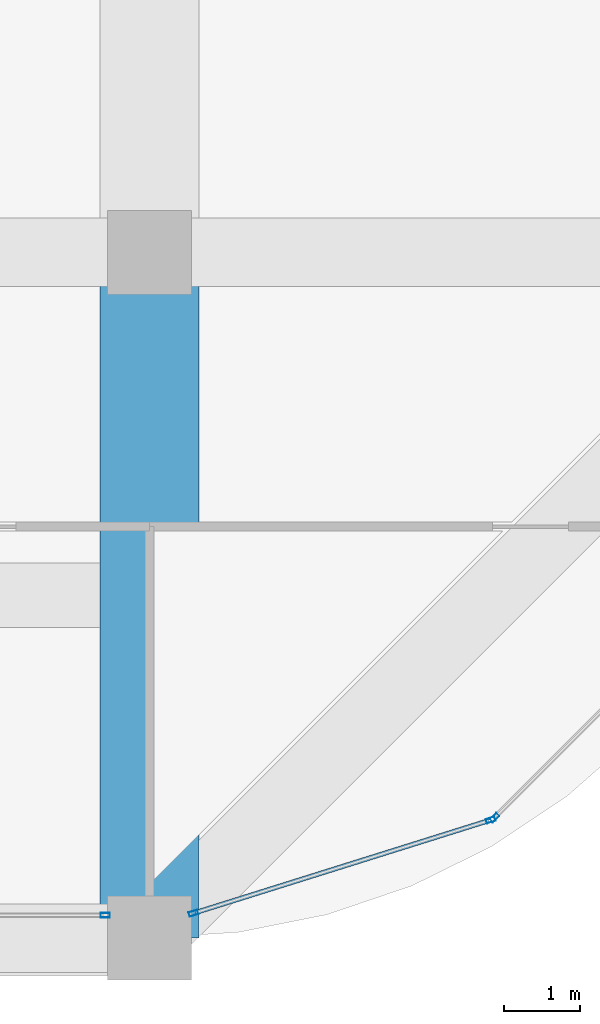
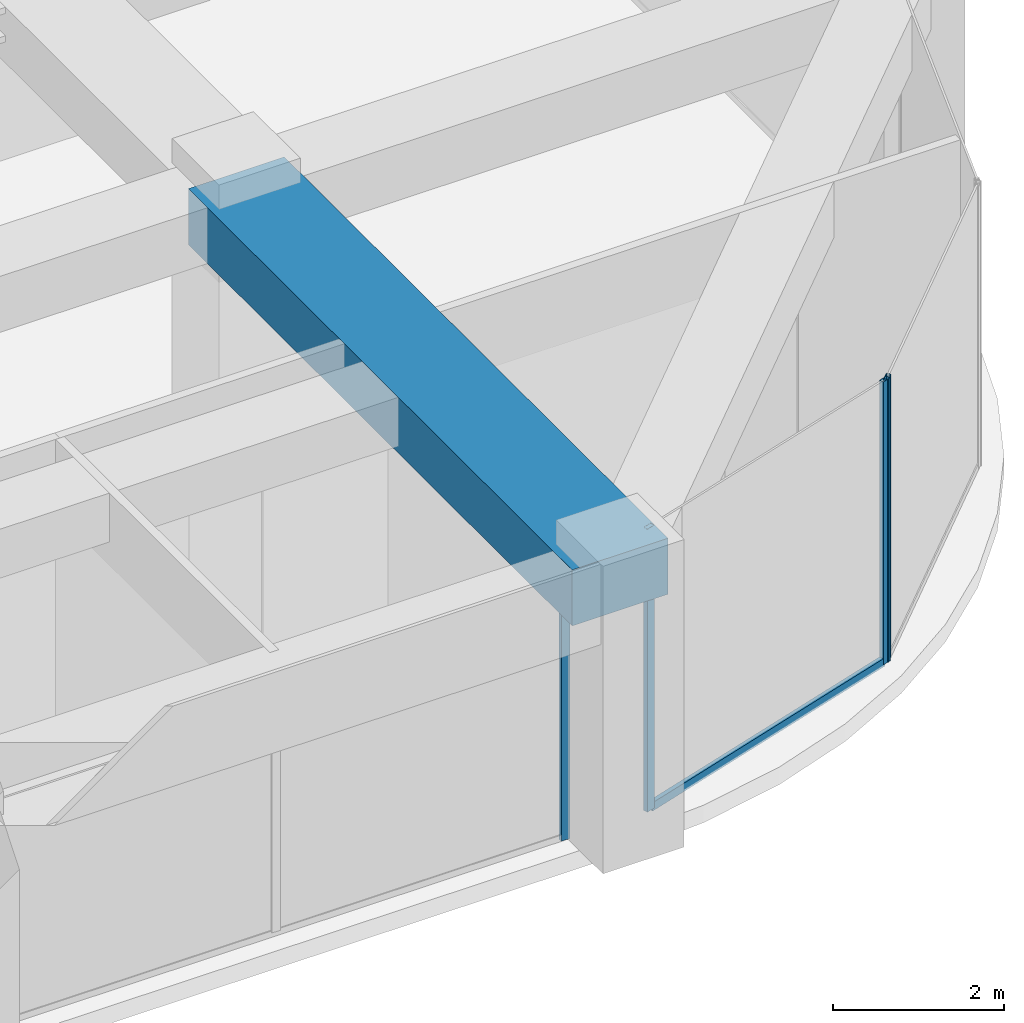
# One storey, part 18 of 44: 5 members, 1 beam, 3 elements without a shape of their own.
"""IFC4 building model written with IfcOpenShell, lengths in metres."""

from ifc_helpers import new_model, si_unit, direction, frame, origin, origin_2d, place, context, subcontext, project, spatial, rectangle, hollow_rectangle, extrude, material, material_profile, profile_set, type_object, element, aggregate, save


model = new_model("IFC4")

# Units and contexts
model_context = context("Model", 3, precision=1e-05, world=origin(), true_north=direction((0.0, 1.0)))
body_context = subcontext(model_context, "Body", "Model", "MODEL_VIEW")
ifc_project = project(units=[si_unit("LENGTHUNIT", "METRE"), si_unit("AREAUNIT", "SQUARE_METRE"), si_unit("VOLUMEUNIT", "CUBIC_METRE"), si_unit("PLANEANGLEUNIT", "RADIAN"), si_unit("MASSUNIT", "GRAM", prefix="KILO")], contexts=[model_context])

# Site, building, storey
site_placement = place(None, origin())
site = spatial("IfcSite", under=ifc_project, at=site_placement, CompositionType="ELEMENT")
building_placement = place(site_placement, origin())
building = spatial("IfcBuilding", under=site, at=building_placement, Name="Zorevar Civic Tower", CompositionType="ELEMENT")
storey_placement = place(building_placement, frame((0.0, 0.0, 307.39990234375)))
storey = spatial("IfcBuildingStorey", under=building, at=storey_placement, Name="L75", CompositionType="ELEMENT", Elevation=307.39990234375)

# Beam
ifc_material_1 = material(Name="Concrete C50/60", Category="concrete")
ifc_material_profile_1 = material_profile(ifc_material_1, rectangle(XDim=1.300048828125, YDim=0.800048828125, at=origin_2d()), Name="RC 1300x800")
ifc_profile_set_1 = profile_set([ifc_material_profile_1], Name="Concrete C50/60")
beam_type = type_object("IfcBeamType", Name="Beam RC 1300x800", PredefinedType="BEAM", material=ifc_profile_set_1)
beam_placement = place(storey_placement, frame((45.0, 0.0, 3.650146484375), z_axis=(0.0, 1.0, 0.0), x_axis=(-1.0, 0.0, 0.0)))
element("IfcBeam", 1, at=beam_placement, inside=storey, type_object=beam_type, Name="Girder RF", PredefinedType="BEAM", context=body_context, shape_type="SweptSolid", body=[
    extrude(rectangle(XDim=1.300048828125, YDim=0.800048828125, at=origin_2d()), origin(), (0.0, 0.0, 1.0), 9.0),
])

# Curtain wall, member
ifc_material_2 = material(Name="Dark grey solar-control glass in black aluminium frame", Category="aluminium")
curtain_wall_type = type_object("IfcCurtainWallType", Name="Curtain wall CW5 top zone", PredefinedType="NOTDEFINED", material=ifc_material_2)
curtain_wall_1_placement = place(storey_placement, origin())
curtain_wall_1 = element("IfcCurtainWall", 2, at=curtain_wall_1_placement, inside=storey, type_object=curtain_wall_type, Name="CW5 L75", PredefinedType="NOTDEFINED")
ifc_material_3 = material(Name="Aluminium, black anodised", Category="aluminium")
ifc_material_profile_2 = material_profile(ifc_material_3, hollow_rectangle(XDim=0.06005859375, YDim=0.1201171875, WallThickness=0.0029296875, at=origin_2d()), Name="AL 120x60x3")
ifc_profile_set_2 = profile_set([ifc_material_profile_2], Name="Aluminium, black anodised")
member_type_1 = type_object("IfcMemberType", Name="CW5 mullion AL 120x60x3", PredefinedType="MULLION", material=ifc_profile_set_2)
member_1_placement = place(storey_placement, frame((44.419921875, 0.300048828125, 0.0), z_axis=(0.0, 0.0, 1.0), x_axis=(0.0, 1.0, 0.0)))
member_1 = element("IfcMember", 3, at=member_1_placement, type_object=member_type_1, Name="CW5 mullion 3", PredefinedType="MULLION", context=body_context, shape_type="SweptSolid", body=[
    extrude(hollow_rectangle(XDim=0.06005859375, YDim=0.1201171875, WallThickness=0.0029296875, at=origin_2d()), origin(), (0.0, 0.0, 1.0), 3.25),
])
aggregate(curtain_wall_1, [member_1])

# Curtain wall, members
curtain_wall_2_placement = place(storey_placement, origin())
curtain_wall_2 = element("IfcCurtainWall", 4, at=curtain_wall_2_placement, inside=storey, type_object=curtain_wall_type, Name="CW5 L75", PredefinedType="NOTDEFINED")
member_2_placement = place(storey_placement, frame((45.57861328125, 0.326416015625, 0.0), z_axis=(0.0, 0.0, 1.0), x_axis=(-0.299317920238, 0.954153437674, 0.0)))
member_2 = element("IfcMember", 5, at=member_2_placement, type_object=member_type_1, Name="CW5 mullion 1", PredefinedType="MULLION", context=body_context, shape_type="SweptSolid", body=[
    extrude(hollow_rectangle(XDim=0.06005859375, YDim=0.1201171875, WallThickness=0.0029296875, at=origin_2d()), origin(), (0.0, 0.0, 1.0), 4.050048828125),
])
member_3_placement = place(storey_placement, frame((49.479248046875, 1.550048828125, 0.0), z_axis=(0.0, 0.0, 1.0), x_axis=(-0.299317920238, 0.954153437674, 0.0)))
member_3 = element("IfcMember", 6, at=member_3_placement, type_object=member_type_1, Name="CW5 mullion 2", PredefinedType="MULLION", context=body_context, shape_type="SweptSolid", body=[
    extrude(hollow_rectangle(XDim=0.06005859375, YDim=0.1201171875, WallThickness=0.0029296875, at=origin_2d()), origin(), (0.0, 0.0, 1.0), 4.050048828125),
])

# Curtain wall, member
curtain_wall_3_placement = place(storey_placement, origin())
curtain_wall_3 = element("IfcCurtainWall", 7, at=curtain_wall_3_placement, inside=storey, type_object=curtain_wall_type, Name="CW5 L75", PredefinedType="NOTDEFINED")
member_4_placement = place(storey_placement, frame((49.529052734375, 1.580322265625, 0.0), z_axis=(0.0, 0.0, 1.0), x_axis=(-0.707106781187, 0.707106781187, 0.0)))
member_4 = element("IfcMember", 8, at=member_4_placement, type_object=member_type_1, Name="CW5 mullion 1", PredefinedType="MULLION", context=body_context, shape_type="SweptSolid", body=[
    extrude(hollow_rectangle(XDim=0.06005859375, YDim=0.1201171875, WallThickness=0.0029296875, at=origin_2d()), origin(), (0.0, 0.0, 1.0), 4.050048828125),
])
aggregate(curtain_wall_3, [member_4])

# Member
ifc_material_4 = material(Name="Aluminium, black anodised", Category="aluminium")
ifc_material_profile_3 = material_profile(ifc_material_4, hollow_rectangle(XDim=0.06005859375, YDim=0.1201171875, WallThickness=0.0029296875, at=origin_2d()), Name="AL 120x60x3")
ifc_profile_set_3 = profile_set([ifc_material_profile_3], Name="Aluminium, black anodised")
member_type_2 = type_object("IfcMemberType", Name="CW5 transom AL 120x60x3", PredefinedType="USERDEFINED", material=ifc_profile_set_3)
member_5_placement = place(storey_placement, frame((45.607177734375, 0.33544921875, 0.030029296875), z_axis=(0.954163457351, 0.299285978047, 0.0), x_axis=(-0.299285978047, 0.954163457351, 0.0)))
member_5 = element("IfcMember", 9, at=member_5_placement, type_object=member_type_2, Name="CW5 sill transom", ObjectType="TRANSOM", PredefinedType="USERDEFINED", context=body_context, shape_type="SweptSolid", body=[
    extrude(hollow_rectangle(XDim=0.06005859375, YDim=0.1201171875, WallThickness=0.0029296875, at=origin_2d()), origin(), (0.0, 0.0, 1.0), 4.028076171875),
])

aggregate(curtain_wall_2, [member_2, member_3, member_5])

save(model, "model.ifc")
